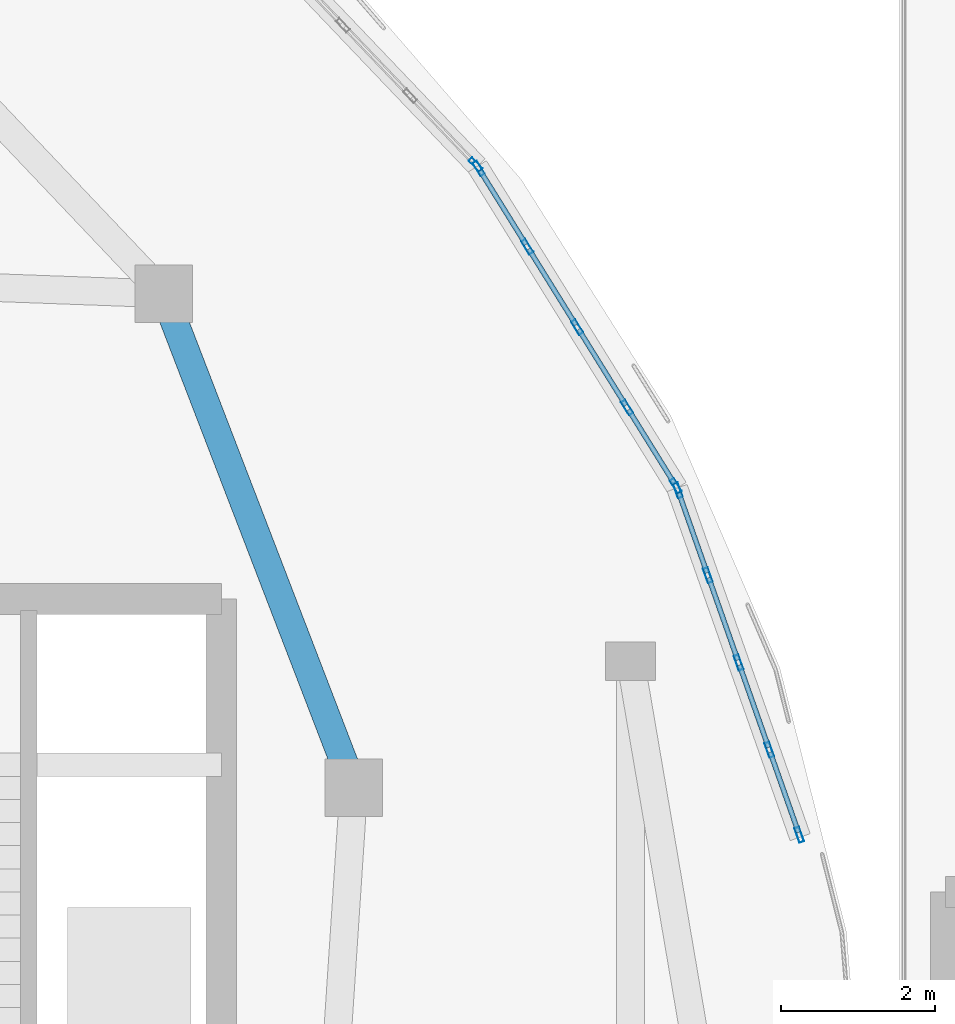
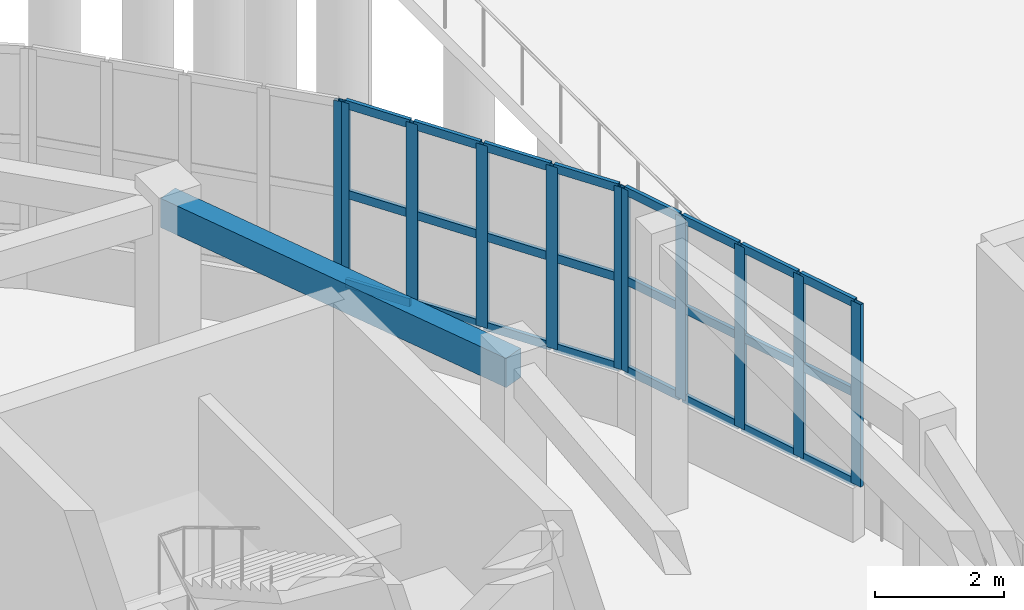
# One storey, part 55 of 96: 35 members, 1 beam, 3 elements without a shape of their own.
"""IFC4 building model written with IfcOpenShell, lengths in metres."""

from ifc_helpers import new_model, si_unit, direction, frame, origin, origin_2d, place, context, subcontext, project, spatial, rectangle, hollow_rectangle, extrude, material, layer, layer_set, material_profile, profile_set, type_object, element, aggregate, save


model = new_model("IFC4")

# Units and contexts
model_context = context("Model", 3, precision=1e-05, world=origin(), true_north=direction((0.0, 1.0)))
body_context = subcontext(model_context, "Body", "Model", "MODEL_VIEW")
ifc_project = project(units=[si_unit("LENGTHUNIT", "METRE"), si_unit("AREAUNIT", "SQUARE_METRE"), si_unit("VOLUMEUNIT", "CUBIC_METRE"), si_unit("PLANEANGLEUNIT", "RADIAN"), si_unit("MASSUNIT", "GRAM", prefix="KILO")], contexts=[model_context])

# Site, building, storey
site_placement = place(None, origin())
site = spatial("IfcSite", under=ifc_project, at=site_placement, CompositionType="ELEMENT")
building_placement = place(site_placement, origin())
building = spatial("IfcBuilding", under=site, at=building_placement, Name="Pelvatis Terrace Science Centre", CompositionType="ELEMENT")
storey_placement = place(building_placement, origin())
storey = spatial("IfcBuildingStorey", under=building, at=storey_placement, Name="L00", CompositionType="ELEMENT", Elevation=0.0)

# Beam
ifc_material_1 = material(Name="Concrete C35/45", Category="concrete")
ifc_material_profile_1 = material_profile(ifc_material_1, rectangle(XDim=0.360107421875, YDim=0.550048828125, at=origin_2d()), Name="RC-BM 360x550")
ifc_profile_set_1 = profile_set([ifc_material_profile_1], Name="Concrete C35/45")
beam_type = type_object("IfcBeamType", Name="BM-RC-360x550", PredefinedType="BEAM", material=ifc_profile_set_1)
beam_placement = place(storey_placement, frame((133.31884765625, 87.552001953125, 4.864990234375), z_axis=(-0.359224405227, 0.933251213066, 0.0), x_axis=(-0.933251213066, -0.359224405227, 0.0)))
element("IfcBeam", 1, at=beam_placement, inside=storey, type_object=beam_type, Name="Beam BM-L00-2258", PredefinedType="BEAM", context=body_context, shape_type="SweptSolid", body=[
    extrude(rectangle(XDim=0.360107421875, YDim=0.550048828125, at=origin_2d()), origin(), (0.0, 0.0, 1.0), 6.868408203125),
])

# Curtain wall, members
ifc_material_2 = material(Name="Bronze-anodised aluminium and laminated glass", Category="aluminium")
ifc_layer = layer(ifc_material_2, 0.199951171875)
ifc_layer_set = layer_set([ifc_layer], Name="Bronze-anodised aluminium and laminated glass")
curtain_wall_type = type_object("IfcCurtainWallType", Name="CW-RIBBON-B", PredefinedType="NOTDEFINED", material=ifc_layer_set)
curtain_wall_1_placement = place(storey_placement, origin())
curtain_wall_1 = element("IfcCurtainWall", 2, at=curtain_wall_1_placement, inside=storey, type_object=curtain_wall_type, Name="Ribbon curtain wall CW-101 (L00)", PredefinedType="NOTDEFINED")
ifc_material_3 = material(Name="Bronze-anodised aluminium 6063-T6", Category="aluminium")
ifc_material_profile_2 = material_profile(ifc_material_3, hollow_rectangle(XDim=0.06494140625, YDim=0.199951171875, WallThickness=0.00439453125, at=origin_2d()), Name="ALU-MUL 65x200")
ifc_profile_set_2 = profile_set([ifc_material_profile_2], Name="Bronze-anodised aluminium 6063-T6")
member_type_1 = type_object("IfcMemberType", Name="CWM-65x200", PredefinedType="MULLION", material=ifc_profile_set_2)
member_1_placement = place(storey_placement, frame((139.10009765625, 86.942138671875, 1.02001953125), z_axis=(0.0, 0.0, 1.0), x_axis=(-0.943170837028, -0.332308248738, 0.0)))
member_1 = element("IfcMember", 3, at=member_1_placement, type_object=member_type_1, Name="CW-101 mullion 1", PredefinedType="MULLION", context=body_context, shape_type="SweptSolid", body=[
    extrude(hollow_rectangle(XDim=0.06494140625, YDim=0.199951171875, WallThickness=0.00439453125, at=origin_2d()), origin(), (0.0, 0.0, 1.0), 3.43994140625),
])
member_2_placement = place(storey_placement, frame((138.7119140625, 88.0439453125, 1.02001953125), z_axis=(0.0, 0.0, 1.0), x_axis=(-0.943170837028, -0.332308248738, 0.0)))
member_2 = element("IfcMember", 4, at=member_2_placement, type_object=member_type_1, Name="CW-101 mullion 2", PredefinedType="MULLION", context=body_context, shape_type="SweptSolid", body=[
    extrude(hollow_rectangle(XDim=0.06494140625, YDim=0.199951171875, WallThickness=0.00439453125, at=origin_2d()), origin(), (0.0, 0.0, 1.0), 3.43994140625),
])
member_3_placement = place(storey_placement, frame((138.31298828125, 89.176513671875, 1.02001953125), z_axis=(0.0, 0.0, 1.0), x_axis=(-0.943170837028, -0.332308248738, 0.0)))
member_3 = element("IfcMember", 5, at=member_3_placement, type_object=member_type_1, Name="CW-101 mullion 3", PredefinedType="MULLION", context=body_context, shape_type="SweptSolid", body=[
    extrude(hollow_rectangle(XDim=0.06494140625, YDim=0.199951171875, WallThickness=0.00439453125, at=origin_2d()), origin(), (0.0, 0.0, 1.0), 3.43994140625),
])
member_4_placement = place(storey_placement, frame((137.913818359375, 90.30908203125, 1.02001953125), z_axis=(0.0, 0.0, 1.0), x_axis=(-0.943170837028, -0.332308248738, 0.0)))
member_4 = element("IfcMember", 6, at=member_4_placement, type_object=member_type_1, Name="CW-101 mullion 4", PredefinedType="MULLION", context=body_context, shape_type="SweptSolid", body=[
    extrude(hollow_rectangle(XDim=0.06494140625, YDim=0.199951171875, WallThickness=0.00439453125, at=origin_2d()), origin(), (0.0, 0.0, 1.0), 3.43994140625),
])
member_5_placement = place(storey_placement, frame((137.525634765625, 91.4111328125, 1.02001953125), z_axis=(0.0, 0.0, 1.0), x_axis=(-0.943170837028, -0.332308248738, 0.0)))
member_5 = element("IfcMember", 7, at=member_5_placement, type_object=member_type_1, Name="CW-101 mullion 5", PredefinedType="MULLION", context=body_context, shape_type="SweptSolid", body=[
    extrude(hollow_rectangle(XDim=0.06494140625, YDim=0.199951171875, WallThickness=0.00439453125, at=origin_2d()), origin(), (0.0, 0.0, 1.0), 3.43994140625),
])

curtain_wall_2_placement = place(storey_placement, origin())
curtain_wall_2 = element("IfcCurtainWall", 8, at=curtain_wall_2_placement, inside=storey, type_object=curtain_wall_type, Name="Ribbon curtain wall CW-102 (L00)", PredefinedType="NOTDEFINED")
member_6_placement = place(storey_placement, frame((137.49755859375, 91.469482421875, 1.02001953125), z_axis=(0.0, 0.0, 1.0), x_axis=(-0.849585771235, -0.527450488022, 0.0)))
member_6 = element("IfcMember", 9, at=member_6_placement, type_object=member_type_1, Name="CW-102 mullion 1", PredefinedType="MULLION", context=body_context, shape_type="SweptSolid", body=[
    extrude(hollow_rectangle(XDim=0.06494140625, YDim=0.199951171875, WallThickness=0.00439453125, at=origin_2d()), origin(), (0.0, 0.0, 1.0), 3.43994140625),
])
member_7_placement = place(storey_placement, frame((136.86669921875, 92.485595703125, 1.02001953125), z_axis=(0.0, 0.0, 1.0), x_axis=(-0.849585771235, -0.527450488022, 0.0)))
member_7 = element("IfcMember", 10, at=member_7_placement, type_object=member_type_1, Name="CW-102 mullion 2", PredefinedType="MULLION", context=body_context, shape_type="SweptSolid", body=[
    extrude(hollow_rectangle(XDim=0.06494140625, YDim=0.199951171875, WallThickness=0.00439453125, at=origin_2d()), origin(), (0.0, 0.0, 1.0), 3.43994140625),
])
member_8_placement = place(storey_placement, frame((136.21875, 93.529296875, 1.02001953125), z_axis=(0.0, 0.0, 1.0), x_axis=(-0.849585771235, -0.527450488022, 0.0)))
member_8 = element("IfcMember", 11, at=member_8_placement, type_object=member_type_1, Name="CW-102 mullion 3", PredefinedType="MULLION", context=body_context, shape_type="SweptSolid", body=[
    extrude(hollow_rectangle(XDim=0.06494140625, YDim=0.199951171875, WallThickness=0.00439453125, at=origin_2d()), origin(), (0.0, 0.0, 1.0), 3.43994140625),
])
member_9_placement = place(storey_placement, frame((135.57080078125, 94.5732421875, 1.02001953125), z_axis=(0.0, 0.0, 1.0), x_axis=(-0.849585771235, -0.527450488022, 0.0)))
member_9 = element("IfcMember", 12, at=member_9_placement, type_object=member_type_1, Name="CW-102 mullion 4", PredefinedType="MULLION", context=body_context, shape_type="SweptSolid", body=[
    extrude(hollow_rectangle(XDim=0.06494140625, YDim=0.199951171875, WallThickness=0.00439453125, at=origin_2d()), origin(), (0.0, 0.0, 1.0), 3.43994140625),
])
member_10_placement = place(storey_placement, frame((134.93994140625, 95.58935546875, 1.02001953125), z_axis=(0.0, 0.0, 1.0), x_axis=(-0.849585771235, -0.527450488022, 0.0)))
member_10 = element("IfcMember", 13, at=member_10_placement, type_object=member_type_1, Name="CW-102 mullion 5", PredefinedType="MULLION", context=body_context, shape_type="SweptSolid", body=[
    extrude(hollow_rectangle(XDim=0.06494140625, YDim=0.199951171875, WallThickness=0.00439453125, at=origin_2d()), origin(), (0.0, 0.0, 1.0), 3.43994140625),
])

# Curtain wall, member
curtain_wall_3_placement = place(storey_placement, origin())
curtain_wall_3 = element("IfcCurtainWall", 14, at=curtain_wall_3_placement, inside=storey, type_object=curtain_wall_type, Name="Ribbon curtain wall CW-103 (L00)", PredefinedType="NOTDEFINED")
member_11_placement = place(storey_placement, frame((134.900390625, 95.640625, 1.02001953125), z_axis=(0.0, 0.0, 1.0), x_axis=(-0.723834942686, -0.689973170309, 0.0)))
member_11 = element("IfcMember", 15, at=member_11_placement, type_object=member_type_1, Name="CW-103 mullion 1", PredefinedType="MULLION", context=body_context, shape_type="SweptSolid", body=[
    extrude(hollow_rectangle(XDim=0.06494140625, YDim=0.199951171875, WallThickness=0.00439453125, at=origin_2d()), origin(), (0.0, 0.0, 1.0), 3.43994140625),
])
aggregate(curtain_wall_3, [member_11])

# Member
ifc_material_4 = material(Name="Bronze-anodised aluminium 6063-T6", Category="aluminium")
ifc_material_profile_3 = material_profile(ifc_material_4, hollow_rectangle(XDim=0.06494140625, YDim=0.159912109375, WallThickness=0.00390625, at=origin_2d()), Name="ALU-TRN 65x160")
ifc_profile_set_3 = profile_set([ifc_material_profile_3], Name="Bronze-anodised aluminium 6063-T6")
member_type_2 = type_object("IfcMemberType", Name="CWT-65x160", PredefinedType="USERDEFINED", material=ifc_profile_set_3)
member_12_placement = place(storey_placement, frame((139.08935546875, 86.97265625, 1.052490234375), z_axis=(-0.332310863996, 0.943169915588, 0.0), x_axis=(-0.943169915588, -0.332310863996, 0.0)))
member_12 = element("IfcMember", 16, at=member_12_placement, type_object=member_type_2, Name="CW-101 transom 1.1", ObjectType="TRANSOM", PredefinedType="USERDEFINED", context=body_context, shape_type="SweptSolid", body=[
    extrude(hollow_rectangle(XDim=0.06494140625, YDim=0.159912109375, WallThickness=0.00390625, at=origin_2d()), origin(), (0.0, 0.0, 1.0), 1.103515625),
])

member_13_placement = place(storey_placement, frame((139.08935546875, 86.97265625, 2.739990234375), z_axis=(-0.332310863996, 0.943169915588, 0.0), x_axis=(-0.943169915588, -0.332310863996, 0.0)))
member_13 = element("IfcMember", 17, at=member_13_placement, type_object=member_type_2, Name="CW-101 transom 1.2", ObjectType="TRANSOM", PredefinedType="USERDEFINED", context=body_context, shape_type="SweptSolid", body=[
    extrude(hollow_rectangle(XDim=0.06494140625, YDim=0.159912109375, WallThickness=0.00390625, at=origin_2d()), origin(), (0.0, 0.0, 1.0), 1.103515625),
])

member_14_placement = place(storey_placement, frame((139.08935546875, 86.97265625, 4.427490234375), z_axis=(-0.332310863996, 0.943169915588, 0.0), x_axis=(-0.943169915588, -0.332310863996, 0.0)))
member_14 = element("IfcMember", 18, at=member_14_placement, type_object=member_type_2, Name="CW-101 transom 1.3", ObjectType="TRANSOM", PredefinedType="USERDEFINED", context=body_context, shape_type="SweptSolid", body=[
    extrude(hollow_rectangle(XDim=0.06494140625, YDim=0.159912109375, WallThickness=0.00390625, at=origin_2d()), origin(), (0.0, 0.0, 1.0), 1.103515625),
])

member_15_placement = place(storey_placement, frame((138.701171875, 88.07470703125, 1.052490234375), z_axis=(-0.332302880193, 0.943172728516, 0.0), x_axis=(-0.943172728516, -0.332302880193, 0.0)))
member_15 = element("IfcMember", 19, at=member_15_placement, type_object=member_type_2, Name="CW-101 transom 2.1", ObjectType="TRANSOM", PredefinedType="USERDEFINED", context=body_context, shape_type="SweptSolid", body=[
    extrude(hollow_rectangle(XDim=0.06494140625, YDim=0.159912109375, WallThickness=0.00390625, at=origin_2d()), origin(), (0.0, 0.0, 1.0), 1.1357421875),
])

member_16_placement = place(storey_placement, frame((138.701171875, 88.07470703125, 2.739990234375), z_axis=(-0.332302880193, 0.943172728516, 0.0), x_axis=(-0.943172728516, -0.332302880193, 0.0)))
member_16 = element("IfcMember", 20, at=member_16_placement, type_object=member_type_2, Name="CW-101 transom 2.2", ObjectType="TRANSOM", PredefinedType="USERDEFINED", context=body_context, shape_type="SweptSolid", body=[
    extrude(hollow_rectangle(XDim=0.06494140625, YDim=0.159912109375, WallThickness=0.00390625, at=origin_2d()), origin(), (0.0, 0.0, 1.0), 1.1357421875),
])

member_17_placement = place(storey_placement, frame((138.701171875, 88.07470703125, 4.427490234375), z_axis=(-0.332302880193, 0.943172728516, 0.0), x_axis=(-0.943172728516, -0.332302880193, 0.0)))
member_17 = element("IfcMember", 21, at=member_17_placement, type_object=member_type_2, Name="CW-101 transom 2.3", ObjectType="TRANSOM", PredefinedType="USERDEFINED", context=body_context, shape_type="SweptSolid", body=[
    extrude(hollow_rectangle(XDim=0.06494140625, YDim=0.159912109375, WallThickness=0.00390625, at=origin_2d()), origin(), (0.0, 0.0, 1.0), 1.1357421875),
])

member_18_placement = place(storey_placement, frame((138.302001953125, 89.207275390625, 1.052490234375), z_axis=(-0.332302880193, 0.943172728516, 0.0), x_axis=(-0.943172728516, -0.332302880193, 0.0)))
member_18 = element("IfcMember", 22, at=member_18_placement, type_object=member_type_2, Name="CW-101 transom 3.1", ObjectType="TRANSOM", PredefinedType="USERDEFINED", context=body_context, shape_type="SweptSolid", body=[
    extrude(hollow_rectangle(XDim=0.06494140625, YDim=0.159912109375, WallThickness=0.00390625, at=origin_2d()), origin(), (0.0, 0.0, 1.0), 1.1357421875),
])

member_19_placement = place(storey_placement, frame((138.302001953125, 89.207275390625, 2.739990234375), z_axis=(-0.332302880193, 0.943172728516, 0.0), x_axis=(-0.943172728516, -0.332302880193, 0.0)))
member_19 = element("IfcMember", 23, at=member_19_placement, type_object=member_type_2, Name="CW-101 transom 3.2", ObjectType="TRANSOM", PredefinedType="USERDEFINED", context=body_context, shape_type="SweptSolid", body=[
    extrude(hollow_rectangle(XDim=0.06494140625, YDim=0.159912109375, WallThickness=0.00390625, at=origin_2d()), origin(), (0.0, 0.0, 1.0), 1.1357421875),
])

member_20_placement = place(storey_placement, frame((138.302001953125, 89.207275390625, 4.427490234375), z_axis=(-0.332302880193, 0.943172728516, 0.0), x_axis=(-0.943172728516, -0.332302880193, 0.0)))
member_20 = element("IfcMember", 24, at=member_20_placement, type_object=member_type_2, Name="CW-101 transom 3.3", ObjectType="TRANSOM", PredefinedType="USERDEFINED", context=body_context, shape_type="SweptSolid", body=[
    extrude(hollow_rectangle(XDim=0.06494140625, YDim=0.159912109375, WallThickness=0.00390625, at=origin_2d()), origin(), (0.0, 0.0, 1.0), 1.1357421875),
])

member_21_placement = place(storey_placement, frame((137.903076171875, 90.33984375, 1.052490234375), z_axis=(-0.332310863996, 0.943169915588, 0.0), x_axis=(-0.943169915588, -0.332310863996, 0.0)))
member_21 = element("IfcMember", 25, at=member_21_placement, type_object=member_type_2, Name="CW-101 transom 4.1", ObjectType="TRANSOM", PredefinedType="USERDEFINED", context=body_context, shape_type="SweptSolid", body=[
    extrude(hollow_rectangle(XDim=0.06494140625, YDim=0.159912109375, WallThickness=0.00390625, at=origin_2d()), origin(), (0.0, 0.0, 1.0), 1.103515625),
])

member_22_placement = place(storey_placement, frame((137.903076171875, 90.33984375, 2.739990234375), z_axis=(-0.332310863996, 0.943169915588, 0.0), x_axis=(-0.943169915588, -0.332310863996, 0.0)))
member_22 = element("IfcMember", 26, at=member_22_placement, type_object=member_type_2, Name="CW-101 transom 4.2", ObjectType="TRANSOM", PredefinedType="USERDEFINED", context=body_context, shape_type="SweptSolid", body=[
    extrude(hollow_rectangle(XDim=0.06494140625, YDim=0.159912109375, WallThickness=0.00390625, at=origin_2d()), origin(), (0.0, 0.0, 1.0), 1.103515625),
])

member_23_placement = place(storey_placement, frame((137.903076171875, 90.33984375, 4.427490234375), z_axis=(-0.332310863996, 0.943169915588, 0.0), x_axis=(-0.943169915588, -0.332310863996, 0.0)))
member_23 = element("IfcMember", 27, at=member_23_placement, type_object=member_type_2, Name="CW-101 transom 4.3", ObjectType="TRANSOM", PredefinedType="USERDEFINED", context=body_context, shape_type="SweptSolid", body=[
    extrude(hollow_rectangle(XDim=0.06494140625, YDim=0.159912109375, WallThickness=0.00390625, at=origin_2d()), origin(), (0.0, 0.0, 1.0), 1.103515625),
])

aggregate(curtain_wall_1, [member_1, member_2, member_3, member_4, member_5, member_12, member_13, member_14, member_15, member_16, member_17, member_18, member_19, member_20, member_21, member_22, member_23])

member_24_placement = place(storey_placement, frame((137.48046875, 91.4970703125, 1.052490234375), z_axis=(-0.527357488311, 0.84964350143, 0.0), x_axis=(-0.84964350143, -0.527357488311, 0.0)))
member_24 = element("IfcMember", 28, at=member_24_placement, type_object=member_type_2, Name="CW-102 transom 1.1", ObjectType="TRANSOM", PredefinedType="USERDEFINED", context=body_context, shape_type="SweptSolid", body=[
    extrude(hollow_rectangle(XDim=0.06494140625, YDim=0.159912109375, WallThickness=0.00390625, at=origin_2d()), origin(), (0.0, 0.0, 1.0), 1.131103515625),
])

member_25_placement = place(storey_placement, frame((137.48046875, 91.4970703125, 2.739990234375), z_axis=(-0.527357488311, 0.84964350143, 0.0), x_axis=(-0.84964350143, -0.527357488311, 0.0)))
member_25 = element("IfcMember", 29, at=member_25_placement, type_object=member_type_2, Name="CW-102 transom 1.2", ObjectType="TRANSOM", PredefinedType="USERDEFINED", context=body_context, shape_type="SweptSolid", body=[
    extrude(hollow_rectangle(XDim=0.06494140625, YDim=0.159912109375, WallThickness=0.00390625, at=origin_2d()), origin(), (0.0, 0.0, 1.0), 1.131103515625),
])

member_26_placement = place(storey_placement, frame((137.48046875, 91.4970703125, 4.427490234375), z_axis=(-0.527357488311, 0.84964350143, 0.0), x_axis=(-0.84964350143, -0.527357488311, 0.0)))
member_26 = element("IfcMember", 30, at=member_26_placement, type_object=member_type_2, Name="CW-102 transom 1.3", ObjectType="TRANSOM", PredefinedType="USERDEFINED", context=body_context, shape_type="SweptSolid", body=[
    extrude(hollow_rectangle(XDim=0.06494140625, YDim=0.159912109375, WallThickness=0.00390625, at=origin_2d()), origin(), (0.0, 0.0, 1.0), 1.131103515625),
])

member_27_placement = place(storey_placement, frame((136.849609375, 92.51318359375, 1.052490234375), z_axis=(-0.527488207903, 0.849562352346, 0.0), x_axis=(-0.849562352346, -0.527488207903, 0.0)))
member_27 = element("IfcMember", 31, at=member_27_placement, type_object=member_type_2, Name="CW-102 transom 2.1", ObjectType="TRANSOM", PredefinedType="USERDEFINED", context=body_context, shape_type="SweptSolid", body=[
    extrude(hollow_rectangle(XDim=0.06494140625, YDim=0.159912109375, WallThickness=0.00390625, at=origin_2d()), origin(), (0.0, 0.0, 1.0), 1.16357421875),
])

member_28_placement = place(storey_placement, frame((136.849609375, 92.51318359375, 2.739990234375), z_axis=(-0.527488207903, 0.849562352346, 0.0), x_axis=(-0.849562352346, -0.527488207903, 0.0)))
member_28 = element("IfcMember", 32, at=member_28_placement, type_object=member_type_2, Name="CW-102 transom 2.2", ObjectType="TRANSOM", PredefinedType="USERDEFINED", context=body_context, shape_type="SweptSolid", body=[
    extrude(hollow_rectangle(XDim=0.06494140625, YDim=0.159912109375, WallThickness=0.00390625, at=origin_2d()), origin(), (0.0, 0.0, 1.0), 1.16357421875),
])

member_29_placement = place(storey_placement, frame((136.849609375, 92.51318359375, 4.427490234375), z_axis=(-0.527488207903, 0.849562352346, 0.0), x_axis=(-0.849562352346, -0.527488207903, 0.0)))
member_29 = element("IfcMember", 33, at=member_29_placement, type_object=member_type_2, Name="CW-102 transom 2.3", ObjectType="TRANSOM", PredefinedType="USERDEFINED", context=body_context, shape_type="SweptSolid", body=[
    extrude(hollow_rectangle(XDim=0.06494140625, YDim=0.159912109375, WallThickness=0.00390625, at=origin_2d()), origin(), (0.0, 0.0, 1.0), 1.16357421875),
])

member_30_placement = place(storey_placement, frame((136.20166015625, 93.55712890625, 1.052490234375), z_axis=(-0.527488207903, 0.849562352346, 0.0), x_axis=(-0.849562352346, -0.527488207903, 0.0)))
member_30 = element("IfcMember", 34, at=member_30_placement, type_object=member_type_2, Name="CW-102 transom 3.1", ObjectType="TRANSOM", PredefinedType="USERDEFINED", context=body_context, shape_type="SweptSolid", body=[
    extrude(hollow_rectangle(XDim=0.06494140625, YDim=0.159912109375, WallThickness=0.00390625, at=origin_2d()), origin(), (0.0, 0.0, 1.0), 1.16357421875),
])

member_31_placement = place(storey_placement, frame((136.20166015625, 93.55712890625, 2.739990234375), z_axis=(-0.527488207903, 0.849562352346, 0.0), x_axis=(-0.849562352346, -0.527488207903, 0.0)))
member_31 = element("IfcMember", 35, at=member_31_placement, type_object=member_type_2, Name="CW-102 transom 3.2", ObjectType="TRANSOM", PredefinedType="USERDEFINED", context=body_context, shape_type="SweptSolid", body=[
    extrude(hollow_rectangle(XDim=0.06494140625, YDim=0.159912109375, WallThickness=0.00390625, at=origin_2d()), origin(), (0.0, 0.0, 1.0), 1.16357421875),
])

member_32_placement = place(storey_placement, frame((136.20166015625, 93.55712890625, 4.427490234375), z_axis=(-0.527488207903, 0.849562352346, 0.0), x_axis=(-0.849562352346, -0.527488207903, 0.0)))
member_32 = element("IfcMember", 36, at=member_32_placement, type_object=member_type_2, Name="CW-102 transom 3.3", ObjectType="TRANSOM", PredefinedType="USERDEFINED", context=body_context, shape_type="SweptSolid", body=[
    extrude(hollow_rectangle(XDim=0.06494140625, YDim=0.159912109375, WallThickness=0.00390625, at=origin_2d()), origin(), (0.0, 0.0, 1.0), 1.16357421875),
])

member_33_placement = place(storey_placement, frame((135.553466796875, 94.600830078125, 1.052490234375), z_axis=(-0.527357488311, 0.84964350143, 0.0), x_axis=(-0.84964350143, -0.527357488311, 0.0)))
member_33 = element("IfcMember", 37, at=member_33_placement, type_object=member_type_2, Name="CW-102 transom 4.1", ObjectType="TRANSOM", PredefinedType="USERDEFINED", context=body_context, shape_type="SweptSolid", body=[
    extrude(hollow_rectangle(XDim=0.06494140625, YDim=0.159912109375, WallThickness=0.00390625, at=origin_2d()), origin(), (0.0, 0.0, 1.0), 1.131103515625),
])

member_34_placement = place(storey_placement, frame((135.553466796875, 94.600830078125, 2.739990234375), z_axis=(-0.527357488311, 0.84964350143, 0.0), x_axis=(-0.84964350143, -0.527357488311, 0.0)))
member_34 = element("IfcMember", 38, at=member_34_placement, type_object=member_type_2, Name="CW-102 transom 4.2", ObjectType="TRANSOM", PredefinedType="USERDEFINED", context=body_context, shape_type="SweptSolid", body=[
    extrude(hollow_rectangle(XDim=0.06494140625, YDim=0.159912109375, WallThickness=0.00390625, at=origin_2d()), origin(), (0.0, 0.0, 1.0), 1.131103515625),
])

member_35_placement = place(storey_placement, frame((135.553466796875, 94.600830078125, 4.427490234375), z_axis=(-0.527357488311, 0.84964350143, 0.0), x_axis=(-0.84964350143, -0.527357488311, 0.0)))
member_35 = element("IfcMember", 39, at=member_35_placement, type_object=member_type_2, Name="CW-102 transom 4.3", ObjectType="TRANSOM", PredefinedType="USERDEFINED", context=body_context, shape_type="SweptSolid", body=[
    extrude(hollow_rectangle(XDim=0.06494140625, YDim=0.159912109375, WallThickness=0.00390625, at=origin_2d()), origin(), (0.0, 0.0, 1.0), 1.131103515625),
])

aggregate(curtain_wall_2, [member_6, member_7, member_8, member_9, member_10, member_24, member_25, member_26, member_27, member_28, member_29, member_30, member_31, member_32, member_33, member_34, member_35])

save(model, "model.ifc")
